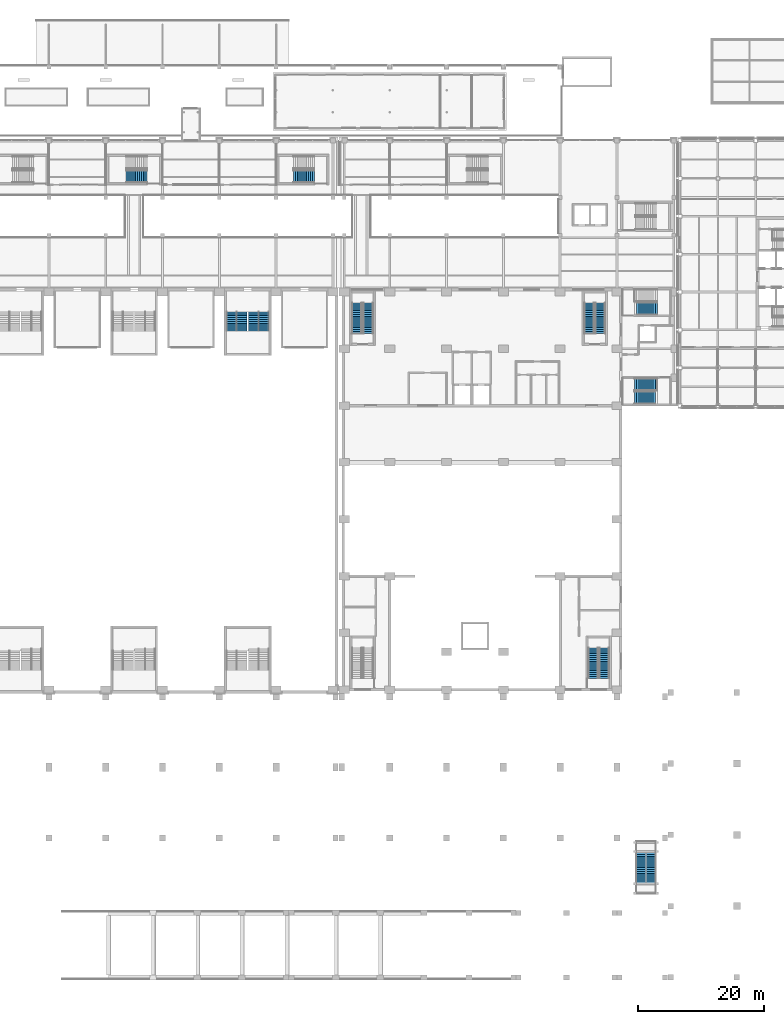
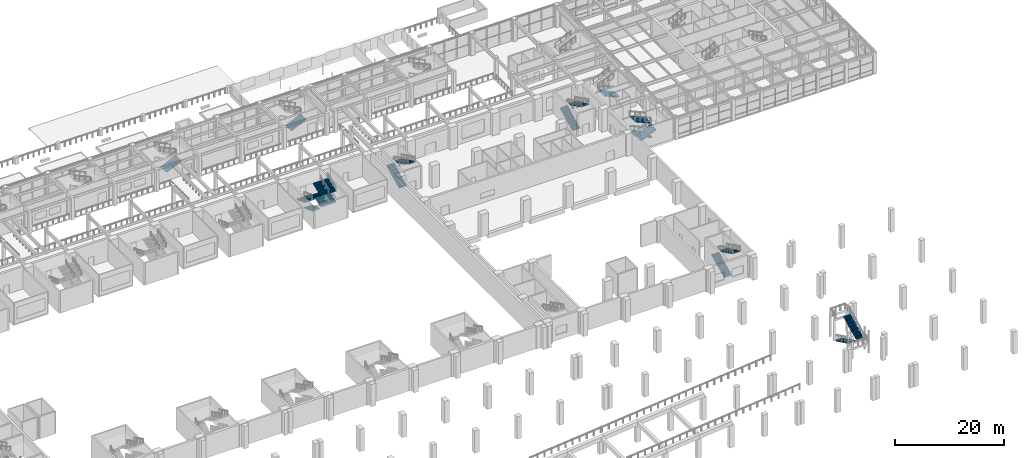
# One storey, part 51 of 67: 21 stair flights, 10 elements without a shape of their own.
"""IFC4 building model written with IfcOpenShell, lengths in metres."""

import ifcopenshell
import ifcopenshell.guid

model = None  # the IFC model being written
_history = None  # IfcOwnerHistory: only IFC2X3 demands one
_inside = {}  # id of a spatial element -> (the spatial element, [elements in it])
_under = {}  # id of a project, library or spatial element -> (it, [spatial elements below it])
_declared = {}  # id of a project -> (the project, [libraries it declares])
_typed = {}  # id of a type object -> (the type object, [elements of that type])
_made_of = {}  # id of a material, layer set ... -> (it, [elements and type objects made of it])


def new_model(schema):
    """Start an empty IFC model of exactly this schema.

    Asked for "IFC4X3", IfcOpenShell would pick the latest addendum, in which some entities
    have other attributes; the version numbers below select the first issue.
    IFC2X3 requires an IfcOwnerHistory on every rooted entity: one is made here for all.
    """
    global model, _history
    if schema == "IFC4X3":
        model = ifcopenshell.file(schema_version=(4, 3, 0, 0))
    else:
        model = ifcopenshell.file(schema=schema)
    _inside.clear()
    _under.clear()
    _declared.clear()
    _typed.clear()
    _made_of.clear()
    _history = None
    if model.schema == "IFC2X3":
        org = make("IfcOrganization", Name="unknown")
        user = make(
            "IfcPersonAndOrganization",
            ThePerson=make("IfcPerson", FamilyName="unknown"),
            TheOrganization=org,
        )
        app = make(
            "IfcApplication",
            ApplicationDeveloper=org,
            Version="unknown",
            ApplicationFullName="unknown",
            ApplicationIdentifier="unknown",
        )
        _history = make(
            "IfcOwnerHistory",
            OwningUser=user,
            OwningApplication=app,
            ChangeAction="ADDED",
            CreationDate=0,
        )
    return model


def make(cls, **values):
    """One entity of the class cls with the attributes given. An attribute that is None is left unset."""
    return model.create_entity(
        cls, **{name: value for name, value in values.items() if value is not None}
    )


def rooted(cls, **values):
    """An entity with a GlobalId (a new one), such as an element, a storey or a relation."""
    return make(cls, GlobalId=ifcopenshell.guid.new(), OwnerHistory=_history, **values)


def si_unit(unit_type, name, prefix=None):
    """IfcSIUnit, for example si_unit("LENGTHUNIT", "METRE", prefix="MILLI")."""
    return make("IfcSIUnit", UnitType=unit_type, Prefix=prefix, Name=name)


def assignment(units):
    """IfcUnitAssignment: the units of a project."""
    return None if units is None else make("IfcUnitAssignment", Units=units)


def point(xyz):
    """IfcCartesianPoint."""
    return None if xyz is None else make("IfcCartesianPoint", Coordinates=xyz)


def direction(xyz):
    """IfcDirection."""
    return None if xyz is None else make("IfcDirection", DirectionRatios=xyz)


def frame(location, z_axis=None, x_axis=None):
    """IfcAxis2Placement3D, a coordinate frame: its origin and axes. An axis left out is left unset."""
    return make(
        "IfcAxis2Placement3D",
        Location=point(location),
        Axis=direction(z_axis),
        RefDirection=direction(x_axis),
    )


def origin():
    """The frame at (0, 0, 0) with its axes left unset."""
    return frame((0.0, 0.0, 0.0))


def place(relative_to, where):
    """IfcLocalPlacement: puts the frame where relative to a parent placement (None: the world)."""
    return make(
        "IfcLocalPlacement", PlacementRelTo=relative_to, RelativePlacement=where
    )


def context(
    kind, dimensions, precision=None, world=None, true_north=None, identifier=None
):
    """IfcGeometricRepresentationContext, for example the 3D "Model" context."""
    return make(
        "IfcGeometricRepresentationContext",
        ContextIdentifier=identifier,
        ContextType=kind,
        CoordinateSpaceDimension=dimensions,
        Precision=precision,
        WorldCoordinateSystem=world,
        TrueNorth=true_north,
    )


def subcontext(parent, identifier, kind, view, scale=None):
    """IfcGeometricRepresentationSubContext, for example "Body" below "Model"."""
    return make(
        "IfcGeometricRepresentationSubContext",
        ContextIdentifier=identifier,
        ContextType=kind,
        ParentContext=parent,
        TargetScale=scale,
        TargetView=view,
    )


def project(units=None, contexts=None):
    """IfcProject with its units and contexts."""
    return rooted(
        "IfcProject",
        Name="project",
        RepresentationContexts=contexts,
        UnitsInContext=assignment(units),
    )


def spatial(cls, under=None, at=None, **own):
    """A site, building, storey or space (cls), placed at a placement, below another one or the project."""
    s = rooted(cls, ObjectPlacement=at, **own)
    if under is not None:
        _under.setdefault(under.id(), (under, []))[1].append(s)
    return s


def polyline(points):
    """IfcPolyline through the points."""
    return make("IfcPolyline", Points=[point(p) for p in points])


def outline(outer, holes=None, kind="AREA"):
    """IfcArbitraryClosedProfileDef: a profile drawn as a closed curve; with holes, ...WithVoids."""
    if holes is None:
        return make("IfcArbitraryClosedProfileDef", ProfileType=kind, OuterCurve=outer)
    return make(
        "IfcArbitraryProfileDefWithVoids",
        ProfileType=kind,
        OuterCurve=outer,
        InnerCurves=holes,
    )


def extrude(swept, where, along, depth):
    """IfcExtrudedAreaSolid: the profile swept, set in the frame where, extruded along a direction by depth."""
    return make(
        "IfcExtrudedAreaSolid",
        SweptArea=swept,
        Position=where,
        ExtrudedDirection=direction(along),
        Depth=depth,
    )


def shape(context_of_items, identifier, shape_type, items):
    """IfcShapeRepresentation: the items that make up one representation, for example the "Body"."""
    return make(
        "IfcShapeRepresentation",
        ContextOfItems=context_of_items,
        RepresentationIdentifier=identifier,
        RepresentationType=shape_type,
        Items=items,
    )


def material(Name=None, Category=None):
    """IfcMaterial."""
    return make("IfcMaterial", Name=Name, Category=Category)


def made_of(thing, what):
    """Note that an element or type object is made of a material, layer set ...; save() writes the relation."""
    if what is not None:
        _made_of.setdefault(what.id(), (what, []))[1].append(thing)
    return thing


def type_object(cls, material=None, **own):
    """A type object (cls), such as IfcWallType, which elements share."""
    return made_of(rooted(cls, **own), material)


def element(
    cls,
    number,
    at=None,
    inside=None,
    cuts=None,
    type_object=None,
    material=None,
    context=None,
    identifier="Body",
    shape_type=None,
    held_by="IfcProductDefinitionShape",
    body=None,
    shapes=None,
    **own,
):
    """One element of the class cls, such as IfcWall. Its Tag is "e" and its number.

    at: its placement. inside: the storey or other place that contains it. cuts: it is an
    opening in that element (IfcRelVoidsElement). A single representation is given by context,
    identifier, shape_type and body (its items); several are given by shapes. held_by: the class
    of the entity that holds the representations. save() writes the other relations.
    """
    e = rooted(cls, Tag="e%d" % number, ObjectPlacement=at, **own)
    if body is not None:
        shapes = [shape(context, identifier, shape_type, body)]
    if shapes is not None:
        e.Representation = make(held_by, Representations=shapes)
    if inside is not None:
        _inside.setdefault(inside.id(), (inside, []))[1].append(e)
    if cuts is not None:
        rooted(
            "IfcRelVoidsElement", RelatingBuildingElement=cuts, RelatedOpeningElement=e
        )
    if type_object is not None:
        _typed.setdefault(type_object.id(), (type_object, []))[1].append(e)
    return made_of(e, material)


def aggregate(whole, parts):
    """IfcRelAggregates: a whole, such as a stair, and the parts it consists of."""
    return rooted("IfcRelAggregates", RelatingObject=whole, RelatedObjects=parts)


def save(model, path):
    """Write the relations noted so far, then the file.

    IfcRelAggregates (storeys below a building ...), IfcRelContainedInSpatialStructure (elements
    in a storey), IfcRelDefinesByType, IfcRelAssociatesMaterial and IfcRelDeclares: one each for
    every whole, place, type object, material and project.
    """
    for whole, parts in _under.values():
        aggregate(whole, parts)
    for where, things in _inside.values():
        rooted(
            "IfcRelContainedInSpatialStructure",
            RelatedElements=things,
            RelatingStructure=where,
        )
    for kind, things in _typed.values():
        rooted("IfcRelDefinesByType", RelatedObjects=things, RelatingType=kind)
    for what, things in _made_of.values():
        rooted("IfcRelAssociatesMaterial", RelatedObjects=things, RelatingMaterial=what)
    for by, libraries in _declared.values():
        rooted("IfcRelDeclares", RelatingContext=by, RelatedDefinitions=libraries)
    model.write(path)


model = new_model("IFC4")

# Units and contexts
model_context = context("Model", 3, precision=1e-05, world=origin(), true_north=direction((0.0, 1.0)))
body_context = subcontext(model_context, "Body", "Model", "MODEL_VIEW")
ifc_project = project(units=[si_unit("LENGTHUNIT", "METRE"), si_unit("AREAUNIT", "SQUARE_METRE"), si_unit("VOLUMEUNIT", "CUBIC_METRE"), si_unit("PLANEANGLEUNIT", "RADIAN"), si_unit("MASSUNIT", "GRAM", prefix="KILO")], contexts=[model_context])

# Site, building, storey
site_placement = place(None, origin())
site = spatial("IfcSite", under=ifc_project, at=site_placement, CompositionType="ELEMENT")
building_placement = place(site_placement, origin())
building = spatial("IfcBuilding", under=site, at=building_placement, Name="Aravalli Gate Trade Fair Centre", CompositionType="ELEMENT")
storey_placement = place(building_placement, frame((0.0, 0.0, 5.0)))
storey = spatial("IfcBuildingStorey", under=building, at=storey_placement, Name="L01", CompositionType="ELEMENT", Elevation=5.0)

# Stair, stair flight
ifc_material_1 = material(Name="Concrete M30", Category="concrete")
stair_type_1 = type_object("IfcStairType", Name="Concourse stair, 2000 wide", PredefinedType="HALF_TURN_STAIR", material=ifc_material_1)
stair_1_placement = place(storey_placement, origin())
stair_1 = element("IfcStair", 1, at=stair_1_placement, inside=storey, type_object=stair_type_1, Name="Stair XC L01", PredefinedType="HALF_TURN_STAIR")
stair_flight_type_1 = type_object("IfcStairFlightType", Name="Concourse stair flight 2000", PredefinedType="STRAIGHT", material=ifc_material_1)
stair_flight_1_placement = place(storey_placement, frame((72.25, 127.300048828125, 1.666748046875), z_axis=(0.0, 0.0, 1.0), x_axis=(1.0, 0.0, 0.0)))
stair_flight_1 = element("IfcStairFlight", 2, at=stair_flight_1_placement, type_object=stair_flight_type_1, Name="STXC-L01 flight 2", NumberOfRisers=12, NumberOfTreads=11, PredefinedType="STRAIGHT", RiserHeight=0.138888889, TreadLength=0.3, context=body_context, shape_type="SweptSolid", body=[
    extrude(outline(polyline([(0.0, 0.0), (0.0, 0.138916015625), (0.300048828125, 0.138916015625), (0.300048828125, 0.27783203125), (0.60009765625, 0.27783203125), (0.60009765625, 0.416748046875), (0.89990234375, 0.416748046875), (0.89990234375, 0.5556640625), (1.199951171875, 0.5556640625), (1.199951171875, 0.6943359375), (1.5, 0.6943359375), (1.5, 0.833251953125), (1.800048828125, 0.833251953125), (1.800048828125, 0.97216796875), (2.10009765625, 0.97216796875), (2.10009765625, 1.111083984375), (2.39990234375, 1.111083984375), (2.39990234375, 1.25), (2.699951171875, 1.25), (2.699951171875, 1.388916015625), (3.0, 1.388916015625), (3.0, 1.52783203125), (3.300048828125, 1.52783203125), (3.300048828125, 1.666748046875), (3.300048828125, 1.307373046875), (0.475830078125, 0.0), (0.0, 0.0)])), frame((0.0, 1.0, 0.0), z_axis=(0.0, -1.0, 0.0), x_axis=(1.0, 0.0, 0.0)), (0.0, 0.0, 1.0), 2.0),
])
aggregate(stair_1, [stair_flight_1])

stair_2_placement = place(storey_placement, origin())
stair_2 = element("IfcStair", 3, at=stair_2_placement, inside=storey, type_object=stair_type_1, Name="Stair XD L01", PredefinedType="HALF_TURN_STAIR")
stair_flight_2_placement = place(storey_placement, frame((98.75, 127.300048828125, 1.666748046875), z_axis=(0.0, 0.0, 1.0), x_axis=(1.0, 0.0, 0.0)))
stair_flight_2 = element("IfcStairFlight", 4, at=stair_flight_2_placement, type_object=stair_flight_type_1, Name="STXD-L01 flight 2", NumberOfRisers=12, NumberOfTreads=11, PredefinedType="STRAIGHT", RiserHeight=0.138888889, TreadLength=0.3, context=body_context, shape_type="SweptSolid", body=[
    extrude(outline(polyline([(0.0, 0.0), (0.0, 0.138916015625), (0.300048828125, 0.138916015625), (0.300048828125, 0.27783203125), (0.60009765625, 0.27783203125), (0.60009765625, 0.416748046875), (0.89990234375, 0.416748046875), (0.89990234375, 0.5556640625), (1.199951171875, 0.5556640625), (1.199951171875, 0.6943359375), (1.5, 0.6943359375), (1.5, 0.833251953125), (1.800048828125, 0.833251953125), (1.800048828125, 0.97216796875), (2.10009765625, 0.97216796875), (2.10009765625, 1.111083984375), (2.39990234375, 1.111083984375), (2.39990234375, 1.25), (2.699951171875, 1.25), (2.699951171875, 1.388916015625), (3.0, 1.388916015625), (3.0, 1.52783203125), (3.300048828125, 1.52783203125), (3.300048828125, 1.666748046875), (3.300048828125, 1.307373046875), (0.475830078125, 0.0), (0.0, 0.0)])), frame((0.0, 1.0, 0.0), z_axis=(0.0, -1.0, 0.0), x_axis=(1.0, 0.0, 0.0)), (0.0, 0.0, 1.0), 2.0),
])
aggregate(stair_2, [stair_flight_2])

# Stair, stair flights
ifc_material_2 = material(Name="Concrete M45", Category="concrete")
stair_type_2 = type_object("IfcStairType", Name="Congress exit stair", PredefinedType="HALF_TURN_STAIR", material=ifc_material_2)
stair_3_placement = place(storey_placement, origin())
stair_3 = element("IfcStair", 5, at=stair_3_placement, inside=storey, type_object=stair_type_2, Name="Stage Stair East L01", PredefinedType="HALF_TURN_STAIR")
stair_flight_type_2 = type_object("IfcStairFlightType", Name="Congress exit stair flight", PredefinedType="STRAIGHT", material=ifc_material_2)
stair_flight_3_placement = place(storey_placement, frame((146.199951171875, 47.800048828125, 0.0), z_axis=(0.0, 0.0, 1.0), x_axis=(0.0, 1.0, 0.0)))
stair_flight_3 = element("IfcStairFlight", 6, at=stair_flight_3_placement, type_object=stair_flight_type_2, Name="GX2 flight 1", NumberOfRisers=17, NumberOfTreads=16, PredefinedType="STRAIGHT", RiserHeight=0.147058824, TreadLength=0.3, context=body_context, shape_type="SweptSolid", body=[
    extrude(outline(polyline([(0.0, 0.0), (0.0, 0.14697265625), (0.300048828125, 0.14697265625), (0.300048828125, 0.294189453125), (0.60009765625, 0.294189453125), (0.60009765625, 0.441162109375), (0.89990234375, 0.441162109375), (0.89990234375, 0.588134765625), (1.199951171875, 0.588134765625), (1.199951171875, 0.7353515625), (1.5, 0.7353515625), (1.5, 0.88232421875), (1.800048828125, 0.88232421875), (1.800048828125, 1.029296875), (2.10009765625, 1.029296875), (2.10009765625, 1.176513671875), (2.39990234375, 1.176513671875), (2.39990234375, 1.323486328125), (2.699951171875, 1.323486328125), (2.699951171875, 1.470703125), (3.0, 1.470703125), (3.0, 1.61767578125), (3.300048828125, 1.61767578125), (3.300048828125, 1.7646484375), (3.60009765625, 1.7646484375), (3.60009765625, 1.911865234375), (3.89990234375, 1.911865234375), (3.89990234375, 2.058837890625), (4.199951171875, 2.058837890625), (4.199951171875, 2.205810546875), (4.5, 2.205810546875), (4.5, 2.35302734375), (4.800048828125, 2.35302734375), (4.800048828125, 2.5), (4.800048828125, 2.18603515625), (0.340576171875, 0.0), (0.0, 0.0)])), frame((0.0, 0.800048828125, 0.0), z_axis=(0.0, -1.0, 0.0), x_axis=(1.0, 0.0, 0.0)), (0.0, 0.0, 1.0), 1.60009765625),
])
stair_flight_4_placement = place(storey_placement, frame((148.0, 52.60009765625, 2.5), z_axis=(0.0, 0.0, 1.0), x_axis=(0.0, -1.0, 0.0)))
stair_flight_4 = element("IfcStairFlight", 7, at=stair_flight_4_placement, type_object=stair_flight_type_2, Name="GX2 flight 2", NumberOfRisers=17, NumberOfTreads=16, PredefinedType="STRAIGHT", RiserHeight=0.147058824, TreadLength=0.3, context=body_context, shape_type="SweptSolid", body=[
    extrude(outline(polyline([(0.0, 0.0), (0.0, 0.14697265625), (0.300048828125, 0.14697265625), (0.300048828125, 0.294189453125), (0.60009765625, 0.294189453125), (0.60009765625, 0.441162109375), (0.89990234375, 0.441162109375), (0.89990234375, 0.588134765625), (1.199951171875, 0.588134765625), (1.199951171875, 0.7353515625), (1.5, 0.7353515625), (1.5, 0.88232421875), (1.800048828125, 0.88232421875), (1.800048828125, 1.029296875), (2.10009765625, 1.029296875), (2.10009765625, 1.176513671875), (2.39990234375, 1.176513671875), (2.39990234375, 1.323486328125), (2.699951171875, 1.323486328125), (2.699951171875, 1.470703125), (3.0, 1.470703125), (3.0, 1.61767578125), (3.300048828125, 1.61767578125), (3.300048828125, 1.7646484375), (3.60009765625, 1.7646484375), (3.60009765625, 1.911865234375), (3.89990234375, 1.911865234375), (3.89990234375, 2.058837890625), (4.199951171875, 2.058837890625), (4.199951171875, 2.205810546875), (4.5, 2.205810546875), (4.5, 2.35302734375), (4.800048828125, 2.35302734375), (4.800048828125, 2.5), (4.800048828125, 2.18603515625), (0.340576171875, 0.0), (0.0, 0.0)])), frame((0.0, 0.800048828125, 0.0), z_axis=(0.0, -1.0, 0.0), x_axis=(1.0, 0.0, 0.0)), (0.0, 0.0, 1.0), 1.60009765625),
])
aggregate(stair_3, [stair_flight_3, stair_flight_4])

stair_4_placement = place(storey_placement, origin())
stair_4 = element("IfcStair", 8, at=stair_4_placement, inside=storey, type_object=stair_type_2, Name="Foyer Stair West L01", PredefinedType="HALF_TURN_STAIR")
stair_flight_5_placement = place(storey_placement, frame((108.800048828125, 102.449951171875, 0.0), z_axis=(0.0, 0.0, 1.0), x_axis=(0.0, 1.0, 0.0)))
stair_flight_5 = element("IfcStairFlight", 9, at=stair_flight_5_placement, type_object=stair_flight_type_2, Name="GX3 flight 1", NumberOfRisers=17, NumberOfTreads=16, PredefinedType="STRAIGHT", RiserHeight=0.147058824, TreadLength=0.3, context=body_context, shape_type="SweptSolid", body=[
    extrude(outline(polyline([(0.0, 0.0), (0.0, 0.14697265625), (0.300048828125, 0.14697265625), (0.300048828125, 0.294189453125), (0.60009765625, 0.294189453125), (0.60009765625, 0.441162109375), (0.89990234375, 0.441162109375), (0.89990234375, 0.588134765625), (1.199951171875, 0.588134765625), (1.199951171875, 0.7353515625), (1.5, 0.7353515625), (1.5, 0.88232421875), (1.800048828125, 0.88232421875), (1.800048828125, 1.029296875), (2.10009765625, 1.029296875), (2.10009765625, 1.176513671875), (2.39990234375, 1.176513671875), (2.39990234375, 1.323486328125), (2.699951171875, 1.323486328125), (2.699951171875, 1.470703125), (3.0, 1.470703125), (3.0, 1.61767578125), (3.300048828125, 1.61767578125), (3.300048828125, 1.7646484375), (3.60009765625, 1.7646484375), (3.60009765625, 1.911865234375), (3.89990234375, 1.911865234375), (3.89990234375, 2.058837890625), (4.199951171875, 2.058837890625), (4.199951171875, 2.205810546875), (4.5, 2.205810546875), (4.5, 2.35302734375), (4.800048828125, 2.35302734375), (4.800048828125, 2.5), (4.800048828125, 2.18603515625), (0.340576171875, 0.0), (0.0, 0.0)])), frame((0.0, 0.800048828125, 0.0), z_axis=(0.0, -1.0, 0.0), x_axis=(1.0, 0.0, 0.0)), (0.0, 0.0, 1.0), 1.60009765625),
])
stair_flight_6_placement = place(storey_placement, frame((110.60009765625, 107.25, 2.5), z_axis=(0.0, 0.0, 1.0), x_axis=(0.0, -1.0, 0.0)))
stair_flight_6 = element("IfcStairFlight", 10, at=stair_flight_6_placement, type_object=stair_flight_type_2, Name="GX3 flight 2", NumberOfRisers=17, NumberOfTreads=16, PredefinedType="STRAIGHT", RiserHeight=0.147058824, TreadLength=0.3, context=body_context, shape_type="SweptSolid", body=[
    extrude(outline(polyline([(0.0, 0.0), (0.0, 0.14697265625), (0.300048828125, 0.14697265625), (0.300048828125, 0.294189453125), (0.60009765625, 0.294189453125), (0.60009765625, 0.441162109375), (0.89990234375, 0.441162109375), (0.89990234375, 0.588134765625), (1.199951171875, 0.588134765625), (1.199951171875, 0.7353515625), (1.5, 0.7353515625), (1.5, 0.88232421875), (1.800048828125, 0.88232421875), (1.800048828125, 1.029296875), (2.10009765625, 1.029296875), (2.10009765625, 1.176513671875), (2.39990234375, 1.176513671875), (2.39990234375, 1.323486328125), (2.699951171875, 1.323486328125), (2.699951171875, 1.470703125), (3.0, 1.470703125), (3.0, 1.61767578125), (3.300048828125, 1.61767578125), (3.300048828125, 1.7646484375), (3.60009765625, 1.7646484375), (3.60009765625, 1.911865234375), (3.89990234375, 1.911865234375), (3.89990234375, 2.058837890625), (4.199951171875, 2.058837890625), (4.199951171875, 2.205810546875), (4.5, 2.205810546875), (4.5, 2.35302734375), (4.800048828125, 2.35302734375), (4.800048828125, 2.5), (4.800048828125, 2.18603515625), (0.340576171875, 0.0), (0.0, 0.0)])), frame((0.0, 0.800048828125, 0.0), z_axis=(0.0, -1.0, 0.0), x_axis=(1.0, 0.0, 0.0)), (0.0, 0.0, 1.0), 1.60009765625),
])
aggregate(stair_4, [stair_flight_5, stair_flight_6])

stair_5_placement = place(storey_placement, origin())
stair_5 = element("IfcStair", 11, at=stair_5_placement, inside=storey, type_object=stair_type_2, Name="Foyer Stair East L01", PredefinedType="HALF_TURN_STAIR")
stair_flight_7_placement = place(storey_placement, frame((145.60009765625, 102.449951171875, 0.0), z_axis=(0.0, 0.0, 1.0), x_axis=(0.0, 1.0, 0.0)))
stair_flight_7 = element("IfcStairFlight", 12, at=stair_flight_7_placement, type_object=stair_flight_type_2, Name="GX4 flight 1", NumberOfRisers=17, NumberOfTreads=16, PredefinedType="STRAIGHT", RiserHeight=0.147058824, TreadLength=0.3, context=body_context, shape_type="SweptSolid", body=[
    extrude(outline(polyline([(0.0, 0.0), (0.0, 0.14697265625), (0.300048828125, 0.14697265625), (0.300048828125, 0.294189453125), (0.60009765625, 0.294189453125), (0.60009765625, 0.441162109375), (0.89990234375, 0.441162109375), (0.89990234375, 0.588134765625), (1.199951171875, 0.588134765625), (1.199951171875, 0.7353515625), (1.5, 0.7353515625), (1.5, 0.88232421875), (1.800048828125, 0.88232421875), (1.800048828125, 1.029296875), (2.10009765625, 1.029296875), (2.10009765625, 1.176513671875), (2.39990234375, 1.176513671875), (2.39990234375, 1.323486328125), (2.699951171875, 1.323486328125), (2.699951171875, 1.470703125), (3.0, 1.470703125), (3.0, 1.61767578125), (3.300048828125, 1.61767578125), (3.300048828125, 1.7646484375), (3.60009765625, 1.7646484375), (3.60009765625, 1.911865234375), (3.89990234375, 1.911865234375), (3.89990234375, 2.058837890625), (4.199951171875, 2.058837890625), (4.199951171875, 2.205810546875), (4.5, 2.205810546875), (4.5, 2.35302734375), (4.800048828125, 2.35302734375), (4.800048828125, 2.5), (4.800048828125, 2.18603515625), (0.340576171875, 0.0), (0.0, 0.0)])), frame((0.0, 0.800048828125, 0.0), z_axis=(0.0, -1.0, 0.0), x_axis=(1.0, 0.0, 0.0)), (0.0, 0.0, 1.0), 1.60009765625),
])
stair_flight_8_placement = place(storey_placement, frame((147.39990234375, 107.25, 2.5), z_axis=(0.0, 0.0, 1.0), x_axis=(0.0, -1.0, 0.0)))
stair_flight_8 = element("IfcStairFlight", 13, at=stair_flight_8_placement, type_object=stair_flight_type_2, Name="GX4 flight 2", NumberOfRisers=17, NumberOfTreads=16, PredefinedType="STRAIGHT", RiserHeight=0.147058824, TreadLength=0.3, context=body_context, shape_type="SweptSolid", body=[
    extrude(outline(polyline([(0.0, 0.0), (0.0, 0.14697265625), (0.300048828125, 0.14697265625), (0.300048828125, 0.294189453125), (0.60009765625, 0.294189453125), (0.60009765625, 0.441162109375), (0.89990234375, 0.441162109375), (0.89990234375, 0.588134765625), (1.199951171875, 0.588134765625), (1.199951171875, 0.7353515625), (1.5, 0.7353515625), (1.5, 0.88232421875), (1.800048828125, 0.88232421875), (1.800048828125, 1.029296875), (2.10009765625, 1.029296875), (2.10009765625, 1.176513671875), (2.39990234375, 1.176513671875), (2.39990234375, 1.323486328125), (2.699951171875, 1.323486328125), (2.699951171875, 1.470703125), (3.0, 1.470703125), (3.0, 1.61767578125), (3.300048828125, 1.61767578125), (3.300048828125, 1.7646484375), (3.60009765625, 1.7646484375), (3.60009765625, 1.911865234375), (3.89990234375, 1.911865234375), (3.89990234375, 2.058837890625), (4.199951171875, 2.058837890625), (4.199951171875, 2.205810546875), (4.5, 2.205810546875), (4.5, 2.35302734375), (4.800048828125, 2.35302734375), (4.800048828125, 2.5), (4.800048828125, 2.18603515625), (0.340576171875, 0.0), (0.0, 0.0)])), frame((0.0, 0.800048828125, 0.0), z_axis=(0.0, -1.0, 0.0), x_axis=(1.0, 0.0, 0.0)), (0.0, 0.0, 1.0), 1.60009765625),
])
aggregate(stair_5, [stair_flight_7, stair_flight_8])

stair_type_3 = type_object("IfcStairType", Name="External stair 1500", PredefinedType="HALF_TURN_STAIR", material=ifc_material_2)
stair_6_placement = place(storey_placement, origin())
stair_6 = element("IfcStair", 14, at=stair_6_placement, inside=storey, type_object=stair_type_3, Name="External stair 2 L01", PredefinedType="HALF_TURN_STAIR")
stair_flight_type_3 = type_object("IfcStairFlightType", Name="External stair flight 1500", PredefinedType="STRAIGHT", material=ifc_material_2)
stair_flight_9_placement = place(storey_placement, frame((153.75, 20.199951171875, 0.0), z_axis=(0.0, 0.0, 1.0), x_axis=(0.0, -1.0, 0.0)))
stair_flight_9 = element("IfcStairFlight", 15, at=stair_flight_9_placement, type_object=stair_flight_type_3, Name="SST5 flight 1", NumberOfRisers=17, NumberOfTreads=16, PredefinedType="STRAIGHT", RiserHeight=0.147058824, TreadLength=0.3, context=body_context, shape_type="SweptSolid", body=[
    extrude(outline(polyline([(0.0, 0.0), (0.0, 0.14697265625), (0.300048828125, 0.14697265625), (0.300048828125, 0.294189453125), (0.60009765625, 0.294189453125), (0.60009765625, 0.441162109375), (0.89990234375, 0.441162109375), (0.89990234375, 0.588134765625), (1.199951171875, 0.588134765625), (1.199951171875, 0.7353515625), (1.5, 0.7353515625), (1.5, 0.88232421875), (1.800048828125, 0.88232421875), (1.800048828125, 1.029296875), (2.10009765625, 1.029296875), (2.10009765625, 1.176513671875), (2.39990234375, 1.176513671875), (2.39990234375, 1.323486328125), (2.699951171875, 1.323486328125), (2.699951171875, 1.470703125), (3.0, 1.470703125), (3.0, 1.61767578125), (3.300048828125, 1.61767578125), (3.300048828125, 1.7646484375), (3.60009765625, 1.7646484375), (3.60009765625, 1.911865234375), (3.89990234375, 1.911865234375), (3.89990234375, 2.058837890625), (4.199951171875, 2.058837890625), (4.199951171875, 2.205810546875), (4.5, 2.205810546875), (4.5, 2.35302734375), (4.800048828125, 2.35302734375), (4.800048828125, 2.5), (4.800048828125, 2.18603515625), (0.340576171875, 0.0), (0.0, 0.0)])), frame((0.0, 0.75, 0.0), z_axis=(0.0, -1.0, 0.0), x_axis=(1.0, 0.0, 0.0)), (0.0, 0.0, 1.0), 1.5),
])
stair_flight_10_placement = place(storey_placement, frame((155.449951171875, 15.39990234375, 2.5), z_axis=(0.0, 0.0, 1.0), x_axis=(0.0, 1.0, 0.0)))
stair_flight_10 = element("IfcStairFlight", 16, at=stair_flight_10_placement, type_object=stair_flight_type_3, Name="SST5 flight 2", NumberOfRisers=17, NumberOfTreads=16, PredefinedType="STRAIGHT", RiserHeight=0.147058824, TreadLength=0.3, context=body_context, shape_type="SweptSolid", body=[
    extrude(outline(polyline([(0.0, 0.0), (0.0, 0.14697265625), (0.300048828125, 0.14697265625), (0.300048828125, 0.294189453125), (0.60009765625, 0.294189453125), (0.60009765625, 0.441162109375), (0.89990234375, 0.441162109375), (0.89990234375, 0.588134765625), (1.199951171875, 0.588134765625), (1.199951171875, 0.7353515625), (1.5, 0.7353515625), (1.5, 0.88232421875), (1.800048828125, 0.88232421875), (1.800048828125, 1.029296875), (2.10009765625, 1.029296875), (2.10009765625, 1.176513671875), (2.39990234375, 1.176513671875), (2.39990234375, 1.323486328125), (2.699951171875, 1.323486328125), (2.699951171875, 1.470703125), (3.0, 1.470703125), (3.0, 1.61767578125), (3.300048828125, 1.61767578125), (3.300048828125, 1.7646484375), (3.60009765625, 1.7646484375), (3.60009765625, 1.911865234375), (3.89990234375, 1.911865234375), (3.89990234375, 2.058837890625), (4.199951171875, 2.058837890625), (4.199951171875, 2.205810546875), (4.5, 2.205810546875), (4.5, 2.35302734375), (4.800048828125, 2.35302734375), (4.800048828125, 2.5), (4.800048828125, 2.18603515625), (0.340576171875, 0.0), (0.0, 0.0)])), frame((0.0, 0.75, 0.0), z_axis=(0.0, -1.0, 0.0), x_axis=(1.0, 0.0, 0.0)), (0.0, 0.0, 1.0), 1.5),
])
aggregate(stair_6, [stair_flight_9, stair_flight_10])

ifc_material_3 = material(Name="Concrete M40", Category="concrete")
stair_type_4 = type_object("IfcStairType", Name="Hall exit stair, four flights", PredefinedType="HALF_TURN_STAIR", material=ifc_material_3)
stair_7_placement = place(storey_placement, origin())
stair_7 = element("IfcStair", 17, at=stair_7_placement, inside=storey, type_object=stair_type_4, Name="Exit stair ST-N10 lane A L01", PredefinedType="HALF_TURN_STAIR")
stair_flight_type_4 = type_object("IfcStairFlightType", Name="Hall exit stair flight, four flights", PredefinedType="STRAIGHT", material=ifc_material_3)
stair_flight_11_placement = place(storey_placement, frame((92.419921875, 102.85009765625, 1.25), z_axis=(0.0, 0.0, 1.0), x_axis=(0.0, 1.0, 0.0)))
stair_flight_11 = element("IfcStairFlight", 18, at=stair_flight_11_placement, type_object=stair_flight_type_4, Name="ST-N10A flight 2", NumberOfRisers=11, NumberOfTreads=10, PredefinedType="STRAIGHT", RiserHeight=0.113636364, TreadLength=0.3, context=body_context, shape_type="SweptSolid", body=[
    extrude(outline(polyline([(0.0, 0.0), (0.0, 0.113525390625), (0.300048828125, 0.113525390625), (0.300048828125, 0.227294921875), (0.60009765625, 0.227294921875), (0.60009765625, 0.3408203125), (0.89990234375, 0.3408203125), (0.89990234375, 0.45458984375), (1.199951171875, 0.45458984375), (1.199951171875, 0.568115234375), (1.5, 0.568115234375), (1.5, 0.681884765625), (1.800048828125, 0.681884765625), (1.800048828125, 0.79541015625), (2.10009765625, 0.79541015625), (2.10009765625, 0.9091796875), (2.39990234375, 0.9091796875), (2.39990234375, 1.022705078125), (2.699951171875, 1.022705078125), (2.699951171875, 1.136474609375), (3.0, 1.136474609375), (3.0, 1.25), (3.0, 0.97607421875), (0.423095703125, 0.0), (0.0, 0.0)])), frame((0.0, 0.81982421875, 0.0), z_axis=(0.0, -1.0, 0.0), x_axis=(1.0, 0.0, 0.0)), (0.0, 0.0, 1.0), 1.639892578125),
])
stair_flight_12_placement = place(storey_placement, frame((88.919921875, 105.85009765625, 2.5), z_axis=(0.0, 0.0, 1.0), x_axis=(0.0, -1.0, 0.0)))
stair_flight_12 = element("IfcStairFlight", 19, at=stair_flight_12_placement, type_object=stair_flight_type_4, Name="ST-N10A flight 3", NumberOfRisers=11, NumberOfTreads=10, PredefinedType="STRAIGHT", RiserHeight=0.113636364, TreadLength=0.3, context=body_context, shape_type="SweptSolid", body=[
    extrude(outline(polyline([(0.0, 0.0), (0.0, 0.113525390625), (0.300048828125, 0.113525390625), (0.300048828125, 0.227294921875), (0.60009765625, 0.227294921875), (0.60009765625, 0.3408203125), (0.89990234375, 0.3408203125), (0.89990234375, 0.45458984375), (1.199951171875, 0.45458984375), (1.199951171875, 0.568115234375), (1.5, 0.568115234375), (1.5, 0.681884765625), (1.800048828125, 0.681884765625), (1.800048828125, 0.79541015625), (2.10009765625, 0.79541015625), (2.10009765625, 0.9091796875), (2.39990234375, 0.9091796875), (2.39990234375, 1.022705078125), (2.699951171875, 1.022705078125), (2.699951171875, 1.136474609375), (3.0, 1.136474609375), (3.0, 1.25), (3.0, 0.97607421875), (0.423095703125, 0.0), (0.0, 0.0)])), frame((0.0, 0.81982421875, 0.0), z_axis=(0.0, -1.0, 0.0), x_axis=(1.0, 0.0, 0.0)), (0.0, 0.0, 1.0), 1.639892578125),
])
stair_flight_13_placement = place(storey_placement, frame((92.419921875, 102.85009765625, 3.75), z_axis=(0.0, 0.0, 1.0), x_axis=(0.0, 1.0, 0.0)))
stair_flight_13 = element("IfcStairFlight", 20, at=stair_flight_13_placement, type_object=stair_flight_type_4, Name="ST-N10A flight 4", NumberOfRisers=11, NumberOfTreads=10, PredefinedType="STRAIGHT", RiserHeight=0.113636364, TreadLength=0.3, context=body_context, shape_type="SweptSolid", body=[
    extrude(outline(polyline([(0.0, 0.0), (0.0, 0.113525390625), (0.300048828125, 0.113525390625), (0.300048828125, 0.227294921875), (0.60009765625, 0.227294921875), (0.60009765625, 0.3408203125), (0.89990234375, 0.3408203125), (0.89990234375, 0.45458984375), (1.199951171875, 0.45458984375), (1.199951171875, 0.568115234375), (1.5, 0.568115234375), (1.5, 0.681884765625), (1.800048828125, 0.681884765625), (1.800048828125, 0.79541015625), (2.10009765625, 0.79541015625), (2.10009765625, 0.9091796875), (2.39990234375, 0.9091796875), (2.39990234375, 1.022705078125), (2.699951171875, 1.022705078125), (2.699951171875, 1.136474609375), (3.0, 1.136474609375), (3.0, 1.25), (3.0, 0.97607421875), (0.423095703125, 0.0), (0.0, 0.0)])), frame((0.0, 0.81982421875, 0.0), z_axis=(0.0, -1.0, 0.0), x_axis=(1.0, 0.0, 0.0)), (0.0, 0.0, 1.0), 1.639892578125),
])
aggregate(stair_7, [stair_flight_11, stair_flight_12, stair_flight_13])

stair_8_placement = place(storey_placement, origin())
stair_8 = element("IfcStair", 21, at=stair_8_placement, inside=storey, type_object=stair_type_4, Name="Exit stair ST-N10 lane B L01", PredefinedType="HALF_TURN_STAIR")
stair_flight_14_placement = place(storey_placement, frame((90.580078125, 105.85009765625, 0.0), z_axis=(0.0, 0.0, 1.0), x_axis=(0.0, -1.0, 0.0)))
stair_flight_14 = element("IfcStairFlight", 22, at=stair_flight_14_placement, type_object=stair_flight_type_4, Name="ST-N10B flight 1", NumberOfRisers=11, NumberOfTreads=10, PredefinedType="STRAIGHT", RiserHeight=0.113636364, TreadLength=0.3, context=body_context, shape_type="SweptSolid", body=[
    extrude(outline(polyline([(0.0, 0.0), (0.0, 0.113525390625), (0.300048828125, 0.113525390625), (0.300048828125, 0.227294921875), (0.60009765625, 0.227294921875), (0.60009765625, 0.3408203125), (0.89990234375, 0.3408203125), (0.89990234375, 0.45458984375), (1.199951171875, 0.45458984375), (1.199951171875, 0.568115234375), (1.5, 0.568115234375), (1.5, 0.681884765625), (1.800048828125, 0.681884765625), (1.800048828125, 0.79541015625), (2.10009765625, 0.79541015625), (2.10009765625, 0.9091796875), (2.39990234375, 0.9091796875), (2.39990234375, 1.022705078125), (2.699951171875, 1.022705078125), (2.699951171875, 1.136474609375), (3.0, 1.136474609375), (3.0, 1.25), (3.0, 0.97607421875), (0.423095703125, 0.0), (0.0, 0.0)])), frame((0.0, 0.81982421875, 0.0), z_axis=(0.0, -1.0, 0.0), x_axis=(1.0, 0.0, 0.0)), (0.0, 0.0, 1.0), 1.639892578125),
])
stair_flight_15_placement = place(storey_placement, frame((94.080078125, 102.85009765625, 1.25), z_axis=(0.0, 0.0, 1.0), x_axis=(0.0, 1.0, 0.0)))
stair_flight_15 = element("IfcStairFlight", 23, at=stair_flight_15_placement, type_object=stair_flight_type_4, Name="ST-N10B flight 2", NumberOfRisers=11, NumberOfTreads=10, PredefinedType="STRAIGHT", RiserHeight=0.113636364, TreadLength=0.3, context=body_context, shape_type="SweptSolid", body=[
    extrude(outline(polyline([(0.0, 0.0), (0.0, 0.113525390625), (0.300048828125, 0.113525390625), (0.300048828125, 0.227294921875), (0.60009765625, 0.227294921875), (0.60009765625, 0.3408203125), (0.89990234375, 0.3408203125), (0.89990234375, 0.45458984375), (1.199951171875, 0.45458984375), (1.199951171875, 0.568115234375), (1.5, 0.568115234375), (1.5, 0.681884765625), (1.800048828125, 0.681884765625), (1.800048828125, 0.79541015625), (2.10009765625, 0.79541015625), (2.10009765625, 0.9091796875), (2.39990234375, 0.9091796875), (2.39990234375, 1.022705078125), (2.699951171875, 1.022705078125), (2.699951171875, 1.136474609375), (3.0, 1.136474609375), (3.0, 1.25), (3.0, 0.97607421875), (0.423095703125, 0.0), (0.0, 0.0)])), frame((0.0, 0.81982421875, 0.0), z_axis=(0.0, -1.0, 0.0), x_axis=(1.0, 0.0, 0.0)), (0.0, 0.0, 1.0), 1.639892578125),
])
stair_flight_16_placement = place(storey_placement, frame((90.580078125, 105.85009765625, 2.5), z_axis=(0.0, 0.0, 1.0), x_axis=(0.0, -1.0, 0.0)))
stair_flight_16 = element("IfcStairFlight", 24, at=stair_flight_16_placement, type_object=stair_flight_type_4, Name="ST-N10B flight 3", NumberOfRisers=11, NumberOfTreads=10, PredefinedType="STRAIGHT", RiserHeight=0.113636364, TreadLength=0.3, context=body_context, shape_type="SweptSolid", body=[
    extrude(outline(polyline([(0.0, 0.0), (0.0, 0.113525390625), (0.300048828125, 0.113525390625), (0.300048828125, 0.227294921875), (0.60009765625, 0.227294921875), (0.60009765625, 0.3408203125), (0.89990234375, 0.3408203125), (0.89990234375, 0.45458984375), (1.199951171875, 0.45458984375), (1.199951171875, 0.568115234375), (1.5, 0.568115234375), (1.5, 0.681884765625), (1.800048828125, 0.681884765625), (1.800048828125, 0.79541015625), (2.10009765625, 0.79541015625), (2.10009765625, 0.9091796875), (2.39990234375, 0.9091796875), (2.39990234375, 1.022705078125), (2.699951171875, 1.022705078125), (2.699951171875, 1.136474609375), (3.0, 1.136474609375), (3.0, 1.25), (3.0, 0.97607421875), (0.423095703125, 0.0), (0.0, 0.0)])), frame((0.0, 0.81982421875, 0.0), z_axis=(0.0, -1.0, 0.0), x_axis=(1.0, 0.0, 0.0)), (0.0, 0.0, 1.0), 1.639892578125),
])
stair_flight_17_placement = place(storey_placement, frame((94.080078125, 102.85009765625, 3.75), z_axis=(0.0, 0.0, 1.0), x_axis=(0.0, 1.0, 0.0)))
stair_flight_17 = element("IfcStairFlight", 25, at=stair_flight_17_placement, type_object=stair_flight_type_4, Name="ST-N10B flight 4", NumberOfRisers=11, NumberOfTreads=10, PredefinedType="STRAIGHT", RiserHeight=0.113636364, TreadLength=0.3, context=body_context, shape_type="SweptSolid", body=[
    extrude(outline(polyline([(0.0, 0.0), (0.0, 0.113525390625), (0.300048828125, 0.113525390625), (0.300048828125, 0.227294921875), (0.60009765625, 0.227294921875), (0.60009765625, 0.3408203125), (0.89990234375, 0.3408203125), (0.89990234375, 0.45458984375), (1.199951171875, 0.45458984375), (1.199951171875, 0.568115234375), (1.5, 0.568115234375), (1.5, 0.681884765625), (1.800048828125, 0.681884765625), (1.800048828125, 0.79541015625), (2.10009765625, 0.79541015625), (2.10009765625, 0.9091796875), (2.39990234375, 0.9091796875), (2.39990234375, 1.022705078125), (2.699951171875, 1.022705078125), (2.699951171875, 1.136474609375), (3.0, 1.136474609375), (3.0, 1.25), (3.0, 0.97607421875), (0.423095703125, 0.0), (0.0, 0.0)])), frame((0.0, 0.81982421875, 0.0), z_axis=(0.0, -1.0, 0.0), x_axis=(1.0, 0.0, 0.0)), (0.0, 0.0, 1.0), 1.639892578125),
])
aggregate(stair_8, [stair_flight_14, stair_flight_15, stair_flight_16, stair_flight_17])

stair_type_5 = type_object("IfcStairType", Name="Wing core stair", PredefinedType="HALF_TURN_STAIR", material=ifc_material_1)
stair_9_placement = place(storey_placement, origin())
stair_9 = element("IfcStair", 26, at=stair_9_placement, inside=storey, type_object=stair_type_5, Name="Stair LA L01", PredefinedType="HALF_TURN_STAIR")
stair_flight_type_5 = type_object("IfcStairFlightType", Name="Wing core stair flight", PredefinedType="STRAIGHT", material=ifc_material_1)
stair_flight_18_placement = place(storey_placement, frame((156.39697265625, 94.35009765625, 0.0), z_axis=(0.0, 0.0, 1.0), x_axis=(-1.0, 0.0, 0.0)))
stair_flight_18 = element("IfcStairFlight", 27, at=stair_flight_18_placement, type_object=stair_flight_type_5, Name="TST1 flight 1", NumberOfRisers=12, NumberOfTreads=11, PredefinedType="STRAIGHT", RiserHeight=0.147058824, TreadLength=0.327, context=body_context, shape_type="SweptSolid", body=[
    extrude(outline(polyline([(0.0, 0.0), (0.0, 0.14697265625), (0.326904296875, 0.14697265625), (0.326904296875, 0.294189453125), (0.654052734375, 0.294189453125), (0.654052734375, 0.441162109375), (0.98095703125, 0.441162109375), (0.98095703125, 0.588134765625), (1.30810546875, 0.588134765625), (1.30810546875, 0.7353515625), (1.635009765625, 0.7353515625), (1.635009765625, 0.88232421875), (1.9619140625, 0.88232421875), (1.9619140625, 1.029296875), (2.2890625, 1.029296875), (2.2890625, 1.176513671875), (2.615966796875, 1.176513671875), (2.615966796875, 1.323486328125), (2.943115234375, 1.323486328125), (2.943115234375, 1.470703125), (3.27001953125, 1.470703125), (3.27001953125, 1.61767578125), (3.596923828125, 1.61767578125), (3.596923828125, 1.7646484375), (3.596923828125, 1.475341796875), (0.316650390625, 0.0), (0.0, 0.0)])), frame((0.0, 1.0, 0.0), z_axis=(0.0, -1.0, 0.0), x_axis=(1.0, 0.0, 0.0)), (0.0, 0.0, 1.0), 2.0),
])
stair_flight_19_placement = place(storey_placement, frame((152.800048828125, 92.25, 1.7646484375), z_axis=(0.0, 0.0, 1.0), x_axis=(1.0, 0.0, 0.0)))
stair_flight_19 = element("IfcStairFlight", 28, at=stair_flight_19_placement, type_object=stair_flight_type_5, Name="TST1 flight 2", NumberOfRisers=11, NumberOfTreads=10, PredefinedType="STRAIGHT", RiserHeight=0.147058824, TreadLength=0.327, context=body_context, shape_type="SweptSolid", body=[
    extrude(outline(polyline([(0.0, 0.0), (0.0, 0.14697265625), (0.326904296875, 0.14697265625), (0.326904296875, 0.294189453125), (0.654052734375, 0.294189453125), (0.654052734375, 0.441162109375), (0.98095703125, 0.441162109375), (0.98095703125, 0.588134765625), (1.30810546875, 0.588134765625), (1.30810546875, 0.7353515625), (1.635009765625, 0.7353515625), (1.635009765625, 0.88232421875), (1.9619140625, 0.88232421875), (1.9619140625, 1.029296875), (2.2890625, 1.029296875), (2.2890625, 1.176513671875), (2.615966796875, 1.176513671875), (2.615966796875, 1.323486328125), (2.943115234375, 1.323486328125), (2.943115234375, 1.470703125), (3.27001953125, 1.470703125), (3.27001953125, 1.61767578125), (3.27001953125, 1.328125), (0.316650390625, 0.0), (0.0, 0.0)])), frame((0.0, 1.0, 0.0), z_axis=(0.0, -1.0, 0.0), x_axis=(1.0, 0.0, 0.0)), (0.0, 0.0, 1.0), 2.0),
])
stair_flight_20_placement = place(storey_placement, frame((156.070068359375, 94.35009765625, 3.38232421875), z_axis=(0.0, 0.0, 1.0), x_axis=(-1.0, 0.0, 0.0)))
stair_flight_20 = element("IfcStairFlight", 29, at=stair_flight_20_placement, type_object=stair_flight_type_5, Name="TST1 flight 3", NumberOfRisers=11, NumberOfTreads=10, PredefinedType="STRAIGHT", RiserHeight=0.147058824, TreadLength=0.327, context=body_context, shape_type="SweptSolid", body=[
    extrude(outline(polyline([(0.0, 0.0), (0.0, 0.14697265625), (0.326904296875, 0.14697265625), (0.326904296875, 0.294189453125), (0.654052734375, 0.294189453125), (0.654052734375, 0.441162109375), (0.98095703125, 0.441162109375), (0.98095703125, 0.588134765625), (1.30810546875, 0.588134765625), (1.30810546875, 0.7353515625), (1.635009765625, 0.7353515625), (1.635009765625, 0.88232421875), (1.9619140625, 0.88232421875), (1.9619140625, 1.029296875), (2.2890625, 1.029296875), (2.2890625, 1.176513671875), (2.615966796875, 1.176513671875), (2.615966796875, 1.323486328125), (2.943115234375, 1.323486328125), (2.943115234375, 1.470703125), (3.27001953125, 1.470703125), (3.27001953125, 1.61767578125), (3.27001953125, 1.328125), (0.316650390625, 0.0), (0.0, 0.0)])), frame((0.0, 1.0, 0.0), z_axis=(0.0, -1.0, 0.0), x_axis=(1.0, 0.0, 0.0)), (0.0, 0.0, 1.0), 2.0),
])
aggregate(stair_9, [stair_flight_18, stair_flight_19, stair_flight_20])

# Stair, stair flight
stair_10_placement = place(storey_placement, origin())
stair_10 = element("IfcStair", 30, at=stair_10_placement, inside=storey, type_object=stair_type_5, Name="Stair LB L01", PredefinedType="HALF_TURN_STAIR")
stair_flight_21_placement = place(storey_placement, frame((156.39990234375, 106.35009765625, 1.7646484375), z_axis=(0.0, 0.0, 1.0), x_axis=(-1.0, 0.0, 0.0)))
stair_flight_21 = element("IfcStairFlight", 31, at=stair_flight_21_placement, type_object=stair_flight_type_5, Name="TST1 flight 2", NumberOfRisers=11, NumberOfTreads=10, PredefinedType="STRAIGHT", RiserHeight=0.147058824, TreadLength=0.327, context=body_context, shape_type="SweptSolid", body=[
    extrude(outline(polyline([(0.0, 0.0), (0.0, 0.14697265625), (0.326904296875, 0.14697265625), (0.326904296875, 0.294189453125), (0.654052734375, 0.294189453125), (0.654052734375, 0.441162109375), (0.98095703125, 0.441162109375), (0.98095703125, 0.588134765625), (1.30810546875, 0.588134765625), (1.30810546875, 0.7353515625), (1.635009765625, 0.7353515625), (1.635009765625, 0.88232421875), (1.9619140625, 0.88232421875), (1.9619140625, 1.029296875), (2.2890625, 1.029296875), (2.2890625, 1.176513671875), (2.615966796875, 1.176513671875), (2.615966796875, 1.323486328125), (2.943115234375, 1.323486328125), (2.943115234375, 1.470703125), (3.27001953125, 1.470703125), (3.27001953125, 1.61767578125), (3.27001953125, 1.328125), (0.316650390625, 0.0), (0.0, 0.0)])), frame((0.0, 1.0, 0.0), z_axis=(0.0, -1.0, 0.0), x_axis=(1.0, 0.0, 0.0)), (0.0, 0.0, 1.0), 2.0),
])
aggregate(stair_10, [stair_flight_21])

save(model, "model.ifc")
